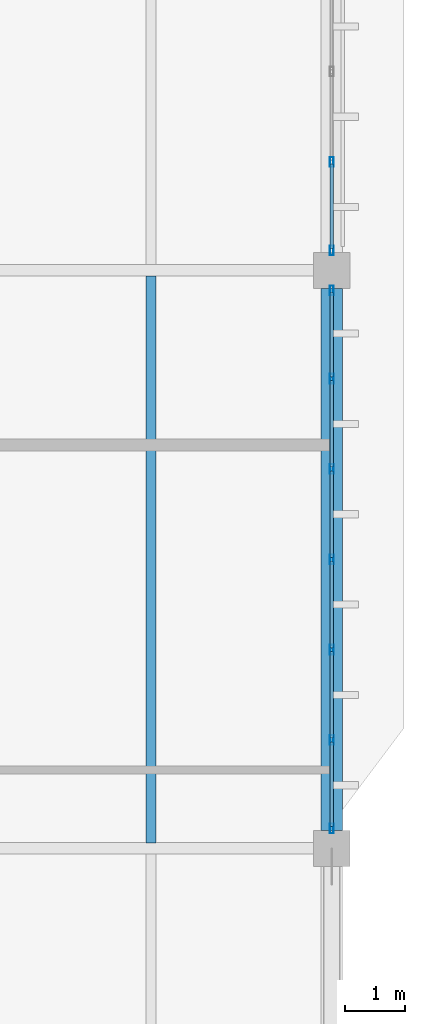
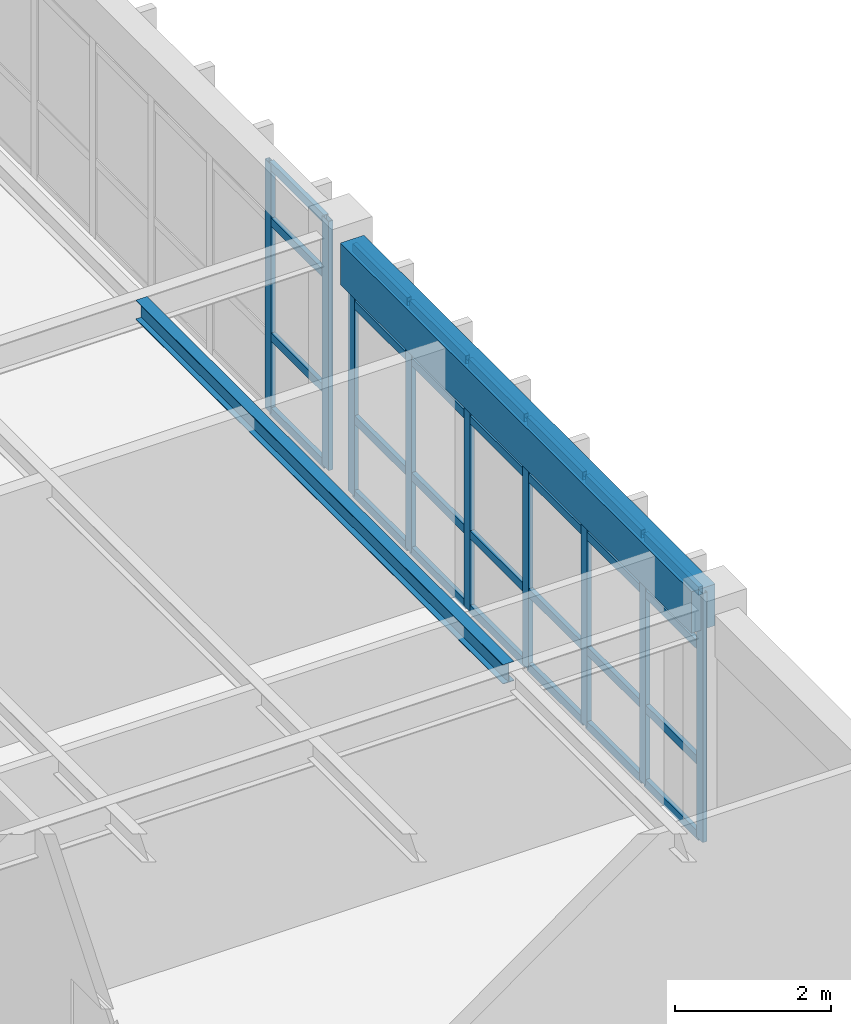
# One storey, part 42 of 83: 37 members, 2 beams, 2 elements without a shape of their own.
"""IFC4 building model written with IfcOpenShell, lengths in metres."""

from ifc_helpers import new_model, si_unit, direction, frame, origin, origin_2d, place, context, subcontext, project, spatial, rectangle, hollow_rectangle, i_section, extrude, material, layer, layer_set, material_profile, profile_set, type_object, element, aggregate, save


model = new_model("IFC4")

# Units and contexts
model_context = context("Model", 3, precision=1e-05, world=origin(), true_north=direction((0.0, 1.0)))
body_context = subcontext(model_context, "Body", "Model", "MODEL_VIEW")
ifc_project = project(units=[si_unit("LENGTHUNIT", "METRE"), si_unit("AREAUNIT", "SQUARE_METRE"), si_unit("VOLUMEUNIT", "CUBIC_METRE"), si_unit("PLANEANGLEUNIT", "RADIAN"), si_unit("MASSUNIT", "GRAM", prefix="KILO")], contexts=[model_context])

# Site, building, storey
site_placement = place(None, origin())
site = spatial("IfcSite", under=ifc_project, at=site_placement, CompositionType="ELEMENT")
building_placement = place(site_placement, origin())
building = spatial("IfcBuilding", under=site, at=building_placement, Name="Pandanus Reach Market Hall", CompositionType="ELEMENT")
storey_placement = place(building_placement, frame((0.0, 0.0, 10.199951171875)))
storey = spatial("IfcBuildingStorey", under=building, at=storey_placement, Name="L02", CompositionType="ELEMENT", Elevation=10.199951171875)

# Beam
ifc_material_1 = material(Name="Concrete N40 (40 MPa)", Category="concrete")
ifc_material_profile_1 = material_profile(ifc_material_1, rectangle(XDim=0.35009765625, YDim=0.64990234375, at=origin_2d()), Name="RC350x650", Category="LoadBearing")
ifc_profile_set_1 = profile_set([ifc_material_profile_1], Name="Concrete N40 (40 MPa)")
beam_type_1 = type_object("IfcBeamType", Name="BM-RC350-E", PredefinedType="SPANDREL", material=ifc_profile_set_1)
beam_1_placement = place(storey_placement, frame((180.0, 48.298095703125, 3.625), z_axis=(0.0, 1.0, 0.0), x_axis=(-1.0, 0.0, 0.0)))
element("IfcBeam", 1, at=beam_1_placement, inside=storey, type_object=beam_type_1, Name="Framing beam BM-RC350-E L02.485", PredefinedType="SPANDREL", context=body_context, shape_type="SweptSolid", body=[
    extrude(rectangle(XDim=0.35009765625, YDim=0.64990234375, at=origin_2d()), origin(), (0.0, 0.0, 1.0), 9.00390625),
])

# Curtain wall, members
ifc_material_2 = material(Name="Bronze anodised aluminium and low-E glass", Category="aluminium")
ifc_layer = layer(ifc_material_2, 0.159912109375, Name="CW-32")
ifc_layer_set = layer_set([ifc_layer], Name="Bronze anodised aluminium and low-E glass")
curtain_wall_type = type_object("IfcCurtainWallType", Name="CW-32", PredefinedType="NOTDEFINED", material=ifc_layer_set)
curtain_wall_1_placement = place(storey_placement, origin())
curtain_wall_1 = element("IfcCurtainWall", 2, at=curtain_wall_1_placement, inside=storey, type_object=curtain_wall_type, Name="Glazed curtain wall CW-32 CW-0106", PredefinedType="NOTDEFINED")
ifc_material_3 = material(Name="Bronze anodised aluminium", Category="aluminium")
ifc_material_profile_2 = material_profile(ifc_material_3, hollow_rectangle(XDim=0.06494140625, YDim=0.159912109375, WallThickness=0.00390625, at=origin_2d()), Name="ALU65x160", Category="LoadBearing")
ifc_profile_set_2 = profile_set([ifc_material_profile_2], Name="Bronze anodised aluminium")
member_type_1 = type_object("IfcMemberType", Name="CW-M1", PredefinedType="MULLION", material=ifc_profile_set_2)
member_1_placement = place(storey_placement, frame((180.0, 48.33251953125, 0.0), z_axis=(0.0, 0.0, 1.0), x_axis=(-1.0, 0.0, 0.0)))
member_1 = element("IfcMember", 3, at=member_1_placement, type_object=member_type_1, Name="CW-32 mullion 1", PredefinedType="MULLION", context=body_context, shape_type="SweptSolid", body=[
    extrude(hollow_rectangle(XDim=0.06494140625, YDim=0.159912109375, WallThickness=0.00390625, at=origin_2d()), origin(), (0.0, 0.0, 1.0), 3.900146484375),
])
member_2_placement = place(storey_placement, frame((180.0, 49.800048828125, 0.0), z_axis=(0.0, 0.0, 1.0), x_axis=(-1.0, 0.0, 0.0)))
member_2 = element("IfcMember", 4, at=member_2_placement, type_object=member_type_1, Name="CW-32 mullion 2", PredefinedType="MULLION", context=body_context, shape_type="SweptSolid", body=[
    extrude(hollow_rectangle(XDim=0.06494140625, YDim=0.159912109375, WallThickness=0.00390625, at=origin_2d()), origin(), (0.0, 0.0, 1.0), 3.900146484375),
])
member_3_placement = place(storey_placement, frame((180.0, 51.300048828125, 0.0), z_axis=(0.0, 0.0, 1.0), x_axis=(-1.0, 0.0, 0.0)))
member_3 = element("IfcMember", 5, at=member_3_placement, type_object=member_type_1, Name="CW-32 mullion 3", PredefinedType="MULLION", context=body_context, shape_type="SweptSolid", body=[
    extrude(hollow_rectangle(XDim=0.06494140625, YDim=0.159912109375, WallThickness=0.00390625, at=origin_2d()), origin(), (0.0, 0.0, 1.0), 3.900146484375),
])
member_4_placement = place(storey_placement, frame((180.0, 52.800048828125, 0.0), z_axis=(0.0, 0.0, 1.0), x_axis=(-1.0, 0.0, 0.0)))
member_4 = element("IfcMember", 6, at=member_4_placement, type_object=member_type_1, Name="CW-32 mullion 4", PredefinedType="MULLION", context=body_context, shape_type="SweptSolid", body=[
    extrude(hollow_rectangle(XDim=0.06494140625, YDim=0.159912109375, WallThickness=0.00390625, at=origin_2d()), origin(), (0.0, 0.0, 1.0), 3.900146484375),
])
member_5_placement = place(storey_placement, frame((180.0, 54.300048828125, 0.0), z_axis=(0.0, 0.0, 1.0), x_axis=(-1.0, 0.0, 0.0)))
member_5 = element("IfcMember", 7, at=member_5_placement, type_object=member_type_1, Name="CW-32 mullion 5", PredefinedType="MULLION", context=body_context, shape_type="SweptSolid", body=[
    extrude(hollow_rectangle(XDim=0.06494140625, YDim=0.159912109375, WallThickness=0.00390625, at=origin_2d()), origin(), (0.0, 0.0, 1.0), 3.900146484375),
])
member_6_placement = place(storey_placement, frame((180.0, 55.800048828125, 0.0), z_axis=(0.0, 0.0, 1.0), x_axis=(-1.0, 0.0, 0.0)))
member_6 = element("IfcMember", 8, at=member_6_placement, type_object=member_type_1, Name="CW-32 mullion 6", PredefinedType="MULLION", context=body_context, shape_type="SweptSolid", body=[
    extrude(hollow_rectangle(XDim=0.06494140625, YDim=0.159912109375, WallThickness=0.00390625, at=origin_2d()), origin(), (0.0, 0.0, 1.0), 3.900146484375),
])
member_7_placement = place(storey_placement, frame((180.0, 57.267578125, 0.0), z_axis=(0.0, 0.0, 1.0), x_axis=(-1.0, 0.0, 0.0)))
member_7 = element("IfcMember", 9, at=member_7_placement, type_object=member_type_1, Name="CW-32 mullion 7", PredefinedType="MULLION", context=body_context, shape_type="SweptSolid", body=[
    extrude(hollow_rectangle(XDim=0.06494140625, YDim=0.159912109375, WallThickness=0.00390625, at=origin_2d()), origin(), (0.0, 0.0, 1.0), 3.900146484375),
])

curtain_wall_2_placement = place(storey_placement, origin())
curtain_wall_2 = element("IfcCurtainWall", 10, at=curtain_wall_2_placement, inside=storey, type_object=curtain_wall_type, Name="Glazed curtain wall CW-32 CW-0107", PredefinedType="NOTDEFINED")
member_8_placement = place(storey_placement, frame((180.0, 57.9326171875, 0.0), z_axis=(0.0, 0.0, 1.0), x_axis=(-1.0, 0.0, 0.0)))
member_8 = element("IfcMember", 11, at=member_8_placement, type_object=member_type_1, Name="CW-32 mullion 1", PredefinedType="MULLION", context=body_context, shape_type="SweptSolid", body=[
    extrude(hollow_rectangle(XDim=0.06494140625, YDim=0.159912109375, WallThickness=0.00390625, at=origin_2d()), origin(), (0.0, 0.0, 1.0), 3.900146484375),
])
member_9_placement = place(storey_placement, frame((180.0, 59.39990234375, 0.0), z_axis=(0.0, 0.0, 1.0), x_axis=(-1.0, 0.0, 0.0)))
member_9 = element("IfcMember", 12, at=member_9_placement, type_object=member_type_1, Name="CW-32 mullion 2", PredefinedType="MULLION", context=body_context, shape_type="SweptSolid", body=[
    extrude(hollow_rectangle(XDim=0.06494140625, YDim=0.159912109375, WallThickness=0.00390625, at=origin_2d()), origin(), (0.0, 0.0, 1.0), 3.900146484375),
])

# Member
ifc_material_profile_3 = material_profile(ifc_material_3, hollow_rectangle(XDim=0.06494140625, YDim=0.1298828125, WallThickness=0.00390625, at=origin_2d()), Name="ALU65x130", Category="LoadBearing")
ifc_profile_set_3 = profile_set([ifc_material_profile_3], Name="Bronze anodised aluminium")
member_type_2 = type_object("IfcMemberType", Name="CW-T1", PredefinedType="USERDEFINED", material=ifc_profile_set_3)
member_10_placement = place(storey_placement, frame((180.0, 48.364990234375, 0.032470703125), z_axis=(0.0, 1.0, 0.0), x_axis=(-1.0, 0.0, 0.0)))
member_10 = element("IfcMember", 13, at=member_10_placement, type_object=member_type_2, Name="CW-32 transom 1.1", ObjectType="TRANSOM", PredefinedType="USERDEFINED", context=body_context, shape_type="SweptSolid", body=[
    extrude(hollow_rectangle(XDim=0.06494140625, YDim=0.1298828125, WallThickness=0.00390625, at=origin_2d()), origin(), (0.0, 0.0, 1.0), 1.402587890625),
])

member_11_placement = place(storey_placement, frame((180.0, 48.364990234375, 1.199951171875), z_axis=(0.0, 1.0, 0.0), x_axis=(-1.0, 0.0, 0.0)))
member_11 = element("IfcMember", 14, at=member_11_placement, type_object=member_type_2, Name="CW-32 transom 1.2", ObjectType="TRANSOM", PredefinedType="USERDEFINED", context=body_context, shape_type="SweptSolid", body=[
    extrude(hollow_rectangle(XDim=0.06494140625, YDim=0.1298828125, WallThickness=0.00390625, at=origin_2d()), origin(), (0.0, 0.0, 1.0), 1.402587890625),
])

member_12_placement = place(storey_placement, frame((180.0, 48.364990234375, 3.0), z_axis=(0.0, 1.0, 0.0), x_axis=(-1.0, 0.0, 0.0)))
member_12 = element("IfcMember", 15, at=member_12_placement, type_object=member_type_2, Name="CW-32 transom 1.3", ObjectType="TRANSOM", PredefinedType="USERDEFINED", context=body_context, shape_type="SweptSolid", body=[
    extrude(hollow_rectangle(XDim=0.06494140625, YDim=0.1298828125, WallThickness=0.00390625, at=origin_2d()), origin(), (0.0, 0.0, 1.0), 1.402587890625),
])

member_13_placement = place(storey_placement, frame((180.0, 48.364990234375, 3.867431640625), z_axis=(0.0, 1.0, 0.0), x_axis=(-1.0, 0.0, 0.0)))
member_13 = element("IfcMember", 16, at=member_13_placement, type_object=member_type_2, Name="CW-32 transom 1.4", ObjectType="TRANSOM", PredefinedType="USERDEFINED", context=body_context, shape_type="SweptSolid", body=[
    extrude(hollow_rectangle(XDim=0.06494140625, YDim=0.1298828125, WallThickness=0.00390625, at=origin_2d()), origin(), (0.0, 0.0, 1.0), 1.402587890625),
])

member_14_placement = place(storey_placement, frame((180.0, 49.83251953125, 0.032470703125), z_axis=(0.0, 1.0, 0.0), x_axis=(-1.0, 0.0, 0.0)))
member_14 = element("IfcMember", 17, at=member_14_placement, type_object=member_type_2, Name="CW-32 transom 2.1", ObjectType="TRANSOM", PredefinedType="USERDEFINED", context=body_context, shape_type="SweptSolid", body=[
    extrude(hollow_rectangle(XDim=0.06494140625, YDim=0.1298828125, WallThickness=0.00390625, at=origin_2d()), origin(), (0.0, 0.0, 1.0), 1.43505859375),
])

member_15_placement = place(storey_placement, frame((180.0, 49.83251953125, 1.199951171875), z_axis=(0.0, 1.0, 0.0), x_axis=(-1.0, 0.0, 0.0)))
member_15 = element("IfcMember", 18, at=member_15_placement, type_object=member_type_2, Name="CW-32 transom 2.2", ObjectType="TRANSOM", PredefinedType="USERDEFINED", context=body_context, shape_type="SweptSolid", body=[
    extrude(hollow_rectangle(XDim=0.06494140625, YDim=0.1298828125, WallThickness=0.00390625, at=origin_2d()), origin(), (0.0, 0.0, 1.0), 1.43505859375),
])

member_16_placement = place(storey_placement, frame((180.0, 49.83251953125, 3.0), z_axis=(0.0, 1.0, 0.0), x_axis=(-1.0, 0.0, 0.0)))
member_16 = element("IfcMember", 19, at=member_16_placement, type_object=member_type_2, Name="CW-32 transom 2.3", ObjectType="TRANSOM", PredefinedType="USERDEFINED", context=body_context, shape_type="SweptSolid", body=[
    extrude(hollow_rectangle(XDim=0.06494140625, YDim=0.1298828125, WallThickness=0.00390625, at=origin_2d()), origin(), (0.0, 0.0, 1.0), 1.43505859375),
])

member_17_placement = place(storey_placement, frame((180.0, 49.83251953125, 3.867431640625), z_axis=(0.0, 1.0, 0.0), x_axis=(-1.0, 0.0, 0.0)))
member_17 = element("IfcMember", 20, at=member_17_placement, type_object=member_type_2, Name="CW-32 transom 2.4", ObjectType="TRANSOM", PredefinedType="USERDEFINED", context=body_context, shape_type="SweptSolid", body=[
    extrude(hollow_rectangle(XDim=0.06494140625, YDim=0.1298828125, WallThickness=0.00390625, at=origin_2d()), origin(), (0.0, 0.0, 1.0), 1.43505859375),
])

member_18_placement = place(storey_placement, frame((180.0, 51.33251953125, 0.032470703125), z_axis=(0.0, 1.0, 0.0), x_axis=(-1.0, 0.0, 0.0)))
member_18 = element("IfcMember", 21, at=member_18_placement, type_object=member_type_2, Name="CW-32 transom 3.1", ObjectType="TRANSOM", PredefinedType="USERDEFINED", context=body_context, shape_type="SweptSolid", body=[
    extrude(hollow_rectangle(XDim=0.06494140625, YDim=0.1298828125, WallThickness=0.00390625, at=origin_2d()), origin(), (0.0, 0.0, 1.0), 1.43505859375),
])

member_19_placement = place(storey_placement, frame((180.0, 51.33251953125, 1.199951171875), z_axis=(0.0, 1.0, 0.0), x_axis=(-1.0, 0.0, 0.0)))
member_19 = element("IfcMember", 22, at=member_19_placement, type_object=member_type_2, Name="CW-32 transom 3.2", ObjectType="TRANSOM", PredefinedType="USERDEFINED", context=body_context, shape_type="SweptSolid", body=[
    extrude(hollow_rectangle(XDim=0.06494140625, YDim=0.1298828125, WallThickness=0.00390625, at=origin_2d()), origin(), (0.0, 0.0, 1.0), 1.43505859375),
])

member_20_placement = place(storey_placement, frame((180.0, 51.33251953125, 3.0), z_axis=(0.0, 1.0, 0.0), x_axis=(-1.0, 0.0, 0.0)))
member_20 = element("IfcMember", 23, at=member_20_placement, type_object=member_type_2, Name="CW-32 transom 3.3", ObjectType="TRANSOM", PredefinedType="USERDEFINED", context=body_context, shape_type="SweptSolid", body=[
    extrude(hollow_rectangle(XDim=0.06494140625, YDim=0.1298828125, WallThickness=0.00390625, at=origin_2d()), origin(), (0.0, 0.0, 1.0), 1.43505859375),
])

member_21_placement = place(storey_placement, frame((180.0, 51.33251953125, 3.867431640625), z_axis=(0.0, 1.0, 0.0), x_axis=(-1.0, 0.0, 0.0)))
member_21 = element("IfcMember", 24, at=member_21_placement, type_object=member_type_2, Name="CW-32 transom 3.4", ObjectType="TRANSOM", PredefinedType="USERDEFINED", context=body_context, shape_type="SweptSolid", body=[
    extrude(hollow_rectangle(XDim=0.06494140625, YDim=0.1298828125, WallThickness=0.00390625, at=origin_2d()), origin(), (0.0, 0.0, 1.0), 1.43505859375),
])

member_22_placement = place(storey_placement, frame((180.0, 52.83251953125, 0.032470703125), z_axis=(0.0, 1.0, 0.0), x_axis=(-1.0, 0.0, 0.0)))
member_22 = element("IfcMember", 25, at=member_22_placement, type_object=member_type_2, Name="CW-32 transom 4.1", ObjectType="TRANSOM", PredefinedType="USERDEFINED", context=body_context, shape_type="SweptSolid", body=[
    extrude(hollow_rectangle(XDim=0.06494140625, YDim=0.1298828125, WallThickness=0.00390625, at=origin_2d()), origin(), (0.0, 0.0, 1.0), 1.43505859375),
])

member_23_placement = place(storey_placement, frame((180.0, 52.83251953125, 1.199951171875), z_axis=(0.0, 1.0, 0.0), x_axis=(-1.0, 0.0, 0.0)))
member_23 = element("IfcMember", 26, at=member_23_placement, type_object=member_type_2, Name="CW-32 transom 4.2", ObjectType="TRANSOM", PredefinedType="USERDEFINED", context=body_context, shape_type="SweptSolid", body=[
    extrude(hollow_rectangle(XDim=0.06494140625, YDim=0.1298828125, WallThickness=0.00390625, at=origin_2d()), origin(), (0.0, 0.0, 1.0), 1.43505859375),
])

member_24_placement = place(storey_placement, frame((180.0, 52.83251953125, 3.0), z_axis=(0.0, 1.0, 0.0), x_axis=(-1.0, 0.0, 0.0)))
member_24 = element("IfcMember", 27, at=member_24_placement, type_object=member_type_2, Name="CW-32 transom 4.3", ObjectType="TRANSOM", PredefinedType="USERDEFINED", context=body_context, shape_type="SweptSolid", body=[
    extrude(hollow_rectangle(XDim=0.06494140625, YDim=0.1298828125, WallThickness=0.00390625, at=origin_2d()), origin(), (0.0, 0.0, 1.0), 1.43505859375),
])

member_25_placement = place(storey_placement, frame((180.0, 52.83251953125, 3.867431640625), z_axis=(0.0, 1.0, 0.0), x_axis=(-1.0, 0.0, 0.0)))
member_25 = element("IfcMember", 28, at=member_25_placement, type_object=member_type_2, Name="CW-32 transom 4.4", ObjectType="TRANSOM", PredefinedType="USERDEFINED", context=body_context, shape_type="SweptSolid", body=[
    extrude(hollow_rectangle(XDim=0.06494140625, YDim=0.1298828125, WallThickness=0.00390625, at=origin_2d()), origin(), (0.0, 0.0, 1.0), 1.43505859375),
])

member_26_placement = place(storey_placement, frame((180.0, 54.33251953125, 0.032470703125), z_axis=(0.0, 1.0, 0.0), x_axis=(-1.0, 0.0, 0.0)))
member_26 = element("IfcMember", 29, at=member_26_placement, type_object=member_type_2, Name="CW-32 transom 5.1", ObjectType="TRANSOM", PredefinedType="USERDEFINED", context=body_context, shape_type="SweptSolid", body=[
    extrude(hollow_rectangle(XDim=0.06494140625, YDim=0.1298828125, WallThickness=0.00390625, at=origin_2d()), origin(), (0.0, 0.0, 1.0), 1.43505859375),
])

member_27_placement = place(storey_placement, frame((180.0, 54.33251953125, 1.199951171875), z_axis=(0.0, 1.0, 0.0), x_axis=(-1.0, 0.0, 0.0)))
member_27 = element("IfcMember", 30, at=member_27_placement, type_object=member_type_2, Name="CW-32 transom 5.2", ObjectType="TRANSOM", PredefinedType="USERDEFINED", context=body_context, shape_type="SweptSolid", body=[
    extrude(hollow_rectangle(XDim=0.06494140625, YDim=0.1298828125, WallThickness=0.00390625, at=origin_2d()), origin(), (0.0, 0.0, 1.0), 1.43505859375),
])

member_28_placement = place(storey_placement, frame((180.0, 54.33251953125, 3.0), z_axis=(0.0, 1.0, 0.0), x_axis=(-1.0, 0.0, 0.0)))
member_28 = element("IfcMember", 31, at=member_28_placement, type_object=member_type_2, Name="CW-32 transom 5.3", ObjectType="TRANSOM", PredefinedType="USERDEFINED", context=body_context, shape_type="SweptSolid", body=[
    extrude(hollow_rectangle(XDim=0.06494140625, YDim=0.1298828125, WallThickness=0.00390625, at=origin_2d()), origin(), (0.0, 0.0, 1.0), 1.43505859375),
])

member_29_placement = place(storey_placement, frame((180.0, 54.33251953125, 3.867431640625), z_axis=(0.0, 1.0, 0.0), x_axis=(-1.0, 0.0, 0.0)))
member_29 = element("IfcMember", 32, at=member_29_placement, type_object=member_type_2, Name="CW-32 transom 5.4", ObjectType="TRANSOM", PredefinedType="USERDEFINED", context=body_context, shape_type="SweptSolid", body=[
    extrude(hollow_rectangle(XDim=0.06494140625, YDim=0.1298828125, WallThickness=0.00390625, at=origin_2d()), origin(), (0.0, 0.0, 1.0), 1.43505859375),
])

member_30_placement = place(storey_placement, frame((180.0, 55.83251953125, 0.032470703125), z_axis=(0.0, 1.0, 0.0), x_axis=(-1.0, 0.0, 0.0)))
member_30 = element("IfcMember", 33, at=member_30_placement, type_object=member_type_2, Name="CW-32 transom 6.1", ObjectType="TRANSOM", PredefinedType="USERDEFINED", context=body_context, shape_type="SweptSolid", body=[
    extrude(hollow_rectangle(XDim=0.06494140625, YDim=0.1298828125, WallThickness=0.00390625, at=origin_2d()), origin(), (0.0, 0.0, 1.0), 1.402587890625),
])

member_31_placement = place(storey_placement, frame((180.0, 55.83251953125, 1.199951171875), z_axis=(0.0, 1.0, 0.0), x_axis=(-1.0, 0.0, 0.0)))
member_31 = element("IfcMember", 34, at=member_31_placement, type_object=member_type_2, Name="CW-32 transom 6.2", ObjectType="TRANSOM", PredefinedType="USERDEFINED", context=body_context, shape_type="SweptSolid", body=[
    extrude(hollow_rectangle(XDim=0.06494140625, YDim=0.1298828125, WallThickness=0.00390625, at=origin_2d()), origin(), (0.0, 0.0, 1.0), 1.402587890625),
])

member_32_placement = place(storey_placement, frame((180.0, 55.83251953125, 3.0), z_axis=(0.0, 1.0, 0.0), x_axis=(-1.0, 0.0, 0.0)))
member_32 = element("IfcMember", 35, at=member_32_placement, type_object=member_type_2, Name="CW-32 transom 6.3", ObjectType="TRANSOM", PredefinedType="USERDEFINED", context=body_context, shape_type="SweptSolid", body=[
    extrude(hollow_rectangle(XDim=0.06494140625, YDim=0.1298828125, WallThickness=0.00390625, at=origin_2d()), origin(), (0.0, 0.0, 1.0), 1.402587890625),
])

member_33_placement = place(storey_placement, frame((180.0, 55.83251953125, 3.867431640625), z_axis=(0.0, 1.0, 0.0), x_axis=(-1.0, 0.0, 0.0)))
member_33 = element("IfcMember", 36, at=member_33_placement, type_object=member_type_2, Name="CW-32 transom 6.4", ObjectType="TRANSOM", PredefinedType="USERDEFINED", context=body_context, shape_type="SweptSolid", body=[
    extrude(hollow_rectangle(XDim=0.06494140625, YDim=0.1298828125, WallThickness=0.00390625, at=origin_2d()), origin(), (0.0, 0.0, 1.0), 1.402587890625),
])

aggregate(curtain_wall_1, [member_1, member_2, member_3, member_4, member_5, member_6, member_7, member_10, member_11, member_12, member_13, member_14, member_15, member_16, member_17, member_18, member_19, member_20, member_21, member_22, member_23, member_24, member_25, member_26, member_27, member_28, member_29, member_30, member_31, member_32, member_33])

member_34_placement = place(storey_placement, frame((180.0, 57.965087890625, 0.032470703125), z_axis=(0.0, 1.0, 0.0), x_axis=(-1.0, 0.0, 0.0)))
member_34 = element("IfcMember", 37, at=member_34_placement, type_object=member_type_2, Name="CW-32 transom 1.1", ObjectType="TRANSOM", PredefinedType="USERDEFINED", context=body_context, shape_type="SweptSolid", body=[
    extrude(hollow_rectangle(XDim=0.06494140625, YDim=0.1298828125, WallThickness=0.00390625, at=origin_2d()), origin(), (0.0, 0.0, 1.0), 1.40234375),
])

member_35_placement = place(storey_placement, frame((180.0, 57.965087890625, 1.199951171875), z_axis=(0.0, 1.0, 0.0), x_axis=(-1.0, 0.0, 0.0)))
member_35 = element("IfcMember", 38, at=member_35_placement, type_object=member_type_2, Name="CW-32 transom 1.2", ObjectType="TRANSOM", PredefinedType="USERDEFINED", context=body_context, shape_type="SweptSolid", body=[
    extrude(hollow_rectangle(XDim=0.06494140625, YDim=0.1298828125, WallThickness=0.00390625, at=origin_2d()), origin(), (0.0, 0.0, 1.0), 1.40234375),
])

member_36_placement = place(storey_placement, frame((180.0, 57.965087890625, 3.0), z_axis=(0.0, 1.0, 0.0), x_axis=(-1.0, 0.0, 0.0)))
member_36 = element("IfcMember", 39, at=member_36_placement, type_object=member_type_2, Name="CW-32 transom 1.3", ObjectType="TRANSOM", PredefinedType="USERDEFINED", context=body_context, shape_type="SweptSolid", body=[
    extrude(hollow_rectangle(XDim=0.06494140625, YDim=0.1298828125, WallThickness=0.00390625, at=origin_2d()), origin(), (0.0, 0.0, 1.0), 1.40234375),
])

member_37_placement = place(storey_placement, frame((180.0, 57.965087890625, 3.867431640625), z_axis=(0.0, 1.0, 0.0), x_axis=(-1.0, 0.0, 0.0)))
member_37 = element("IfcMember", 40, at=member_37_placement, type_object=member_type_2, Name="CW-32 transom 1.4", ObjectType="TRANSOM", PredefinedType="USERDEFINED", context=body_context, shape_type="SweptSolid", body=[
    extrude(hollow_rectangle(XDim=0.06494140625, YDim=0.1298828125, WallThickness=0.00390625, at=origin_2d()), origin(), (0.0, 0.0, 1.0), 1.40234375),
])

aggregate(curtain_wall_2, [member_8, member_9, member_34, member_35, member_36, member_37])

# Beam
ifc_material_4 = material(Name="Steel Grade 350 (350 MPa)", Category="steel")
ifc_material_profile_4 = material_profile(ifc_material_4, i_section(OverallWidth=0.1650390625, OverallDepth=0.303955078125, WebThickness=0.006103515625, FlangeThickness=0.01025390625, at=origin_2d()), Name="310UB40.4", Category="LoadBearing")
ifc_profile_set_4 = profile_set([ifc_material_profile_4], Name="Steel Grade 350 (350 MPa)")
beam_type_2 = type_object("IfcBeamType", Name="JS-UB310-I", PredefinedType="JOIST", material=ifc_profile_set_4)
beam_2_placement = place(storey_placement, frame((177.0, 48.093017578125, 3.797607421875), z_axis=(0.0, 1.0, 0.0), x_axis=(-1.0, 0.0, 0.0)))
element("IfcBeam", 41, at=beam_2_placement, inside=storey, type_object=beam_type_2, Name="Secondary joist JS-UB310-I L02.529", PredefinedType="JOIST", context=body_context, shape_type="SweptSolid", body=[
    extrude(i_section(OverallWidth=0.1650390625, OverallDepth=0.303955078125, WebThickness=0.006103515625, FlangeThickness=0.01025390625, at=origin_2d()), origin(), (0.0, 0.0, 1.0), 9.4140625),
])

save(model, "model.ifc")
